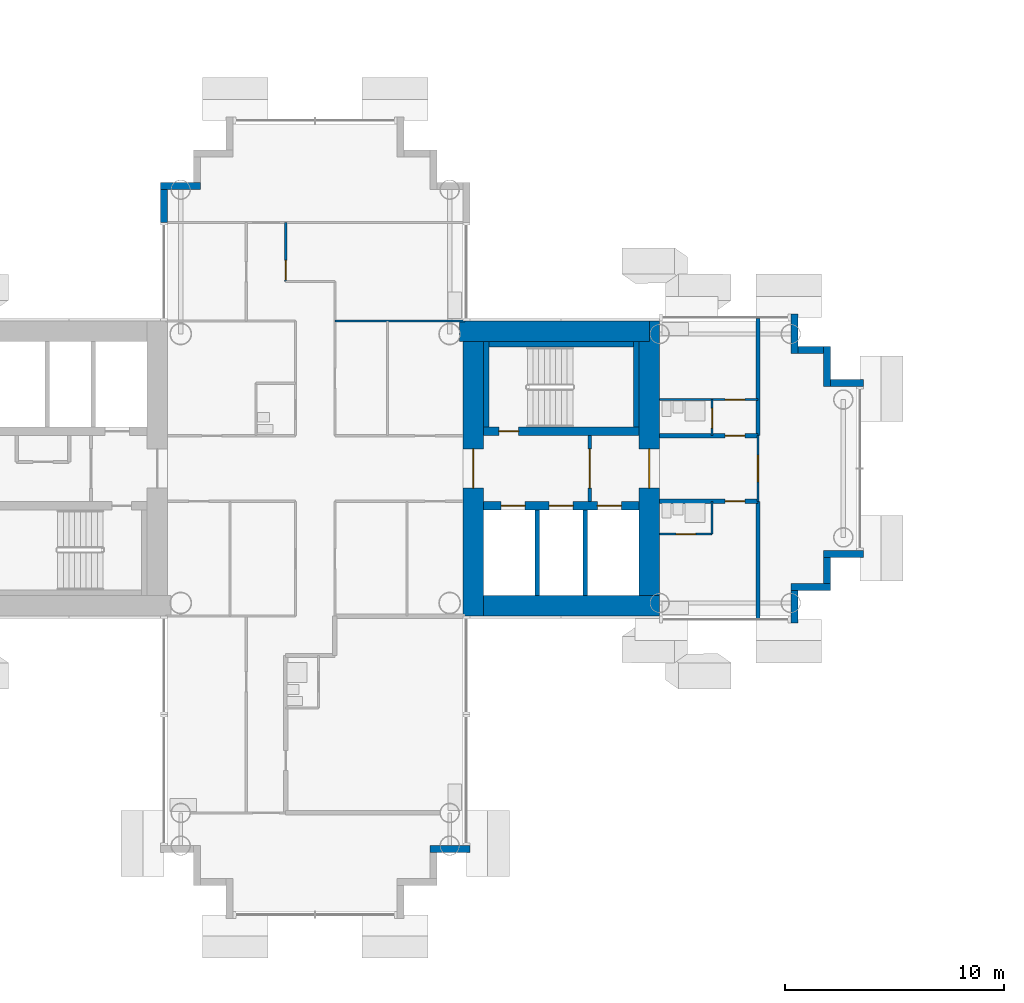
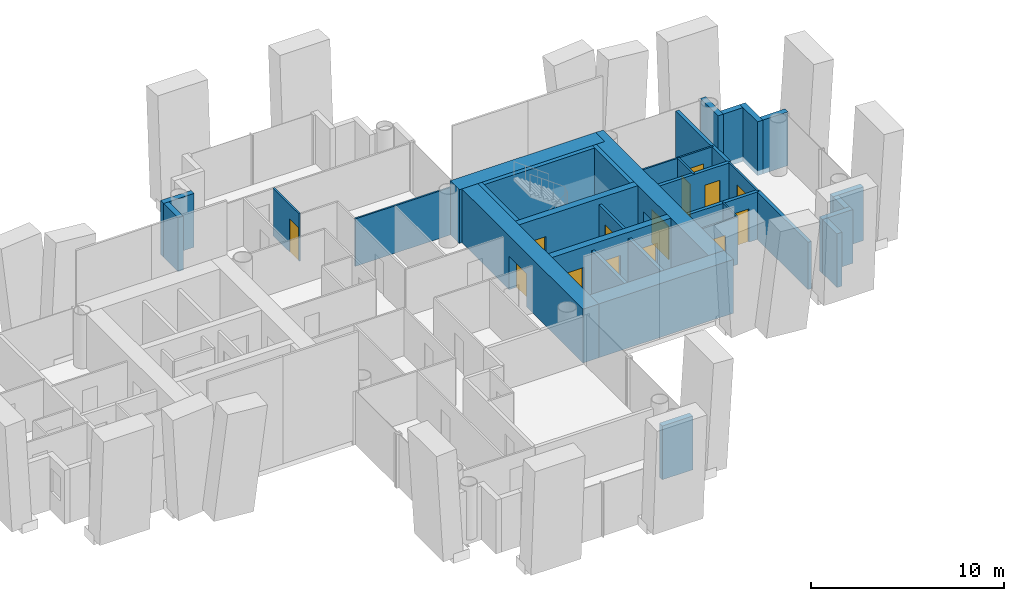
# One storey, part 10 of 21: 34 walls, 14 doors, 14 openings.
"""IFC4 building model written with IfcOpenShell, lengths in metres."""

from ifc_helpers import new_model, si_unit, direction, frame, frame_2d, origin, place, context, subcontext, project, spatial, rectangle, extrude, material, layer, layer_set, type_object, element, fill, save


model = new_model("IFC4")

# Units and contexts
model_context = context("Model", 3, precision=1e-05, world=origin(), true_north=direction((0.0, 1.0)))
body_context = subcontext(model_context, "Body", "Model", "MODEL_VIEW")
ifc_project = project(units=[si_unit("LENGTHUNIT", "METRE"), si_unit("AREAUNIT", "SQUARE_METRE"), si_unit("VOLUMEUNIT", "CUBIC_METRE"), si_unit("PLANEANGLEUNIT", "RADIAN"), si_unit("MASSUNIT", "GRAM", prefix="KILO")], contexts=[model_context])

# Site, building, storey
site_placement = place(None, origin())
site = spatial("IfcSite", under=ifc_project, at=site_placement, CompositionType="ELEMENT")
building_placement = place(site_placement, origin())
building = spatial("IfcBuilding", under=site, at=building_placement, Name="Ipe Terrace Towers", CompositionType="ELEMENT")
storey_placement = place(building_placement, frame((0.0, 0.0, 107.199951171875)))
storey = spatial("IfcBuildingStorey", under=building, at=storey_placement, Name="L29", CompositionType="ELEMENT", Elevation=107.199951171875)

# Walls
ifc_material_1 = material(Name="Concrete C40/50 with buff precast cladding", Category="concrete")
ifc_layer_1 = layer(ifc_material_1, 0.320068359375)
ifc_layer_set_1 = layer_set([ifc_layer_1], Name="BUFF CLADDING WALL 320")
wall_type_1 = type_object("IfcWallType", Name="BUFF CLADDING WALL 320", PredefinedType="STANDARD", material=ifc_layer_set_1)
wall_1_placement = place(storey_placement, frame((-30.75, -17.409912109375, -0.300048828125), z_axis=(0.0, 0.0, 1.0), x_axis=(1.0, 0.0, 0.0)))
element("IfcWall", 1, at=wall_1_placement, inside=storey, type_object=wall_type_1, Name="T1-W-L29-16a wall", PredefinedType="STANDARD", context=body_context, shape_type="SweptSolid", body=[
    extrude(rectangle(XDim=1.820068359375, YDim=0.320068359375, at=frame_2d((0.91015625, 0.0))), origin(), (0.0, 0.0, 1.0), 3.400146484375),
])
wall_2_placement = place(storey_placement, frame((-14.090087890625, -7.070068359375, -0.300048828125), z_axis=(0.0, 0.0, 1.0), x_axis=(0.0, 1.0, 0.0)))
element("IfcWall", 2, at=wall_2_placement, inside=storey, type_object=wall_type_1, Name="T1-W-L29-21a wall", PredefinedType="STANDARD", context=body_context, shape_type="SweptSolid", body=[
    extrude(rectangle(XDim=1.5, YDim=0.320068359375, at=frame_2d((0.75, 0.0))), origin(), (0.0, 0.0, 1.0), 3.400146484375),
])
wall_3_placement = place(storey_placement, frame((-14.25, -5.409912109375, -0.300048828125), z_axis=(0.0, 0.0, 1.0), x_axis=(1.0, 0.0, 0.0)))
element("IfcWall", 3, at=wall_3_placement, inside=storey, type_object=wall_type_1, Name="T1-W-L29-22a wall", PredefinedType="STANDARD", context=body_context, shape_type="SweptSolid", body=[
    extrude(rectangle(XDim=1.820068359375, YDim=0.320068359375, at=frame_2d((0.91015625, 0.0))), origin(), (0.0, 0.0, 1.0), 3.400146484375),
])
wall_4_placement = place(storey_placement, frame((-12.590087890625, -5.25, -0.300048828125), z_axis=(0.0, 0.0, 1.0), x_axis=(0.0, 1.0, 0.0)))
element("IfcWall", 4, at=wall_4_placement, inside=storey, type_object=wall_type_1, Name="T1-W-L29-23a wall", PredefinedType="STANDARD", context=body_context, shape_type="SweptSolid", body=[
    extrude(rectangle(XDim=1.179931640625, YDim=0.320068359375, at=frame_2d((0.58984375, 0.0))), origin(), (0.0, 0.0, 1.0), 3.400146484375),
])
wall_5_placement = place(storey_placement, frame((-12.75, -3.909912109375, -0.300048828125), z_axis=(0.0, 0.0, 1.0), x_axis=(1.0, 0.0, 0.0)))
element("IfcWall", 5, at=wall_5_placement, inside=storey, type_object=wall_type_1, Name="T1-W-L29-24a wall", PredefinedType="STANDARD", context=body_context, shape_type="SweptSolid", body=[
    extrude(rectangle(XDim=1.820068359375, YDim=0.320068359375, at=frame_2d((0.91015625, 0.0))), origin(), (0.0, 0.0, 1.0), 3.400146484375),
])
wall_6_placement = place(storey_placement, frame((-10.929931640625, 3.909912109375, -0.300048828125), z_axis=(0.0, 0.0, 1.0), x_axis=(-1.0, 0.0, 0.0)))
element("IfcWall", 6, at=wall_6_placement, inside=storey, type_object=wall_type_1, Name="T1-W-L29-26a wall", PredefinedType="STANDARD", context=body_context, shape_type="SweptSolid", body=[
    extrude(rectangle(XDim=1.5, YDim=0.320068359375, at=frame_2d((0.75, 0.0))), origin(), (0.0, 0.0, 1.0), 3.400146484375),
])
wall_7_placement = place(storey_placement, frame((-12.590087890625, 3.75, -0.300048828125), z_axis=(0.0, 0.0, 1.0), x_axis=(0.0, 1.0, 0.0)))
element("IfcWall", 7, at=wall_7_placement, inside=storey, type_object=wall_type_1, Name="T1-W-L29-27a wall", PredefinedType="STANDARD", context=body_context, shape_type="SweptSolid", body=[
    extrude(rectangle(XDim=1.820068359375, YDim=0.320068359375, at=frame_2d((0.91015625, 0.0))), origin(), (0.0, 0.0, 1.0), 3.400146484375),
])
wall_8_placement = place(storey_placement, frame((-12.75, 5.409912109375, -0.300048828125), z_axis=(0.0, 0.0, 1.0), x_axis=(-1.0, 0.0, 0.0)))
element("IfcWall", 8, at=wall_8_placement, inside=storey, type_object=wall_type_1, Name="T1-W-L29-28a wall", PredefinedType="STANDARD", context=body_context, shape_type="SweptSolid", body=[
    extrude(rectangle(XDim=1.179931640625, YDim=0.320068359375, at=frame_2d((0.58984375, 0.0))), origin(), (0.0, 0.0, 1.0), 3.400146484375),
])
for number, where, z_axis, x_axis, name in (
    (9, (-14.090087890625, 5.25, -0.300048828125), (0.0, 0.0, 1.0), (0.0, 1.0, 0.0), "T1-W-L29-29a wall"),
    (10, (-41.25, 12.909912109375, -0.300048828125), (0.0, 0.0, 1.0), (-1.0, 0.0, 0.0), "T1-W-L29-42a wall"),
):
    element("IfcWall", number, at=place(storey_placement, frame(where, z_axis=z_axis, x_axis=x_axis)), inside=storey, type_object=wall_type_1, Name=name, PredefinedType="STANDARD", context=body_context, shape_type="SweptSolid", body=[
        extrude(rectangle(XDim=1.820068359375, YDim=0.320068359375, at=frame_2d((0.91015625, 0.0))), origin(), (0.0, 0.0, 1.0), 3.400146484375),
    ])
wall_9_placement = place(storey_placement, frame((-42.909912109375, 12.75, -0.300048828125), z_axis=(0.0, 0.0, 1.0), x_axis=(0.0, -1.0, 0.0)))
element("IfcWall", 11, at=wall_9_placement, inside=storey, type_object=wall_type_1, Name="T1-W-L29-43a wall", PredefinedType="STANDARD", context=body_context, shape_type="SweptSolid", body=[
    extrude(rectangle(XDim=1.5, YDim=0.320068359375, at=frame_2d((0.75, 0.0))), origin(), (0.0, 0.0, 1.0), 3.400146484375),
])

# Wall, opening, door
ifc_material_2 = material(Name="Gypsum board partition", Category="plasterboard")
ifc_layer_2 = layer(ifc_material_2, 0.10009765625)
ifc_layer_set_2 = layer_set([ifc_layer_2], Name="Gypsum board partition 100 mm")
wall_type_2 = type_object("IfcWallType", Name="Gypsum board partition 100 mm", PredefinedType="PARTITIONING", material=ifc_layer_set_2)
wall_10_placement = place(storey_placement, frame((-37.35009765625, 8.550048828125, 0.0), z_axis=(0.0, 0.0, 1.0), x_axis=(0.0, 1.0, 0.0)))
wall_10 = element("IfcWall", 12, at=wall_10_placement, inside=storey, type_object=wall_type_2, Name="Gypsum board partition T1 L29 W08", PredefinedType="PARTITIONING", context=body_context, shape_type="SweptSolid", body=[
    extrude(rectangle(XDim=2.699951171875, YDim=0.10009765625, at=frame_2d((1.35009765625, 0.0))), origin(), (0.0, 0.0, 1.0), 3.0),
])
opening_1_placement = place(wall_10_placement, frame((0.070068359375, 0.0, 0.0)))
opening_1 = element("IfcOpeningElement", 13, at=opening_1_placement, cuts=wall_10, Name="Opening T1-Z2F-10", PredefinedType="OPENING", context=body_context, shape_type="SweptSolid", body=[
    extrude(rectangle(XDim=0.89990234375, YDim=2.10009765625, at=frame_2d((0.449951171875, 1.050048828125))), frame((0.0, 0.06005859375, 0.0), z_axis=(0.0, -1.0, 0.0), x_axis=(1.0, 0.0, 0.0)), (0.0, 0.0, 1.0), 0.1201171875),
])
ifc_material_3 = material(Name="Timber door leaf", Category="wood")
door_type_1 = type_object("IfcDoorType", Name="Lounge door 900 x 2100", OperationType="NOTDEFINED", PredefinedType="DOOR", material=ifc_material_3)
door_1_placement = place(opening_1_placement, origin())
door_1 = element("IfcDoor", 14, at=door_1_placement, inside=storey, type_object=door_type_1, Name="Lounge door T1-Z2F-10", OperationType="SINGLE_SWING_LEFT", OverallHeight=2.10009765625, OverallWidth=0.89990234375, PredefinedType="DOOR", context=body_context, shape_type="SweptSolid", body=[
    extrude(rectangle(XDim=0.89990234375, YDim=2.10009765625, at=frame_2d((0.449951171875, 1.050048828125))), frame((0.0, 0.02490234375, 0.0), z_axis=(0.0, -1.0, 0.0), x_axis=(1.0, 0.0, 0.0)), (0.0, 0.0, 1.0), 0.050048828125),
])
fill(opening_1, door_1)

# Wall
wall_11_placement = place(storey_placement, frame((-17.85009765625, -3.0, 0.0), z_axis=(0.0, 0.0, 1.0), x_axis=(0.0, 1.0, 0.0)))
element("IfcWall", 15, at=wall_11_placement, inside=storey, type_object=wall_type_2, Name="Gypsum board partition T1 L29 W18", PredefinedType="PARTITIONING", context=body_context, shape_type="SweptSolid", body=[
    extrude(rectangle(XDim=1.5, YDim=0.10009765625, at=frame_2d((0.75, 0.0))), origin(), (0.0, 0.0, 1.0), 3.0),
])

# Wall, opening, door
wall_12_placement = place(storey_placement, frame((-17.85009765625, 1.5, 0.0), z_axis=(0.0, 0.0, 1.0), x_axis=(0.0, 1.0, 0.0)))
wall_12 = element("IfcWall", 16, at=wall_12_placement, inside=storey, type_object=wall_type_2, Name="Gypsum board partition T1 L29 W19", PredefinedType="PARTITIONING", context=body_context, shape_type="SweptSolid", body=[
    extrude(rectangle(XDim=1.64990234375, YDim=0.10009765625, at=frame_2d((0.824951171875, 0.0))), origin(), (0.0, 0.0, 1.0), 3.0),
])
opening_2_placement = place(wall_12_placement, frame((0.35009765625, 0.0, 0.0)))
opening_2 = element("IfcOpeningElement", 17, at=opening_2_placement, cuts=wall_12, Name="Opening T1-Z2F-18", PredefinedType="OPENING", context=body_context, shape_type="SweptSolid", body=[
    extrude(rectangle(XDim=0.89990234375, YDim=2.10009765625, at=frame_2d((0.449951171875, 1.050048828125))), frame((0.0, 0.06005859375, 0.0), z_axis=(0.0, -1.0, 0.0), x_axis=(1.0, 0.0, 0.0)), (0.0, 0.0, 1.0), 0.1201171875),
])
ifc_material_4 = material(Name="Timber door leaf", Category="wood")
door_type_2 = type_object("IfcDoorType", Name="Bathroom door 900 x 2100", OperationType="NOTDEFINED", PredefinedType="DOOR", material=ifc_material_4)
door_2_placement = place(opening_2_placement, origin())
door_2 = element("IfcDoor", 18, at=door_2_placement, inside=storey, type_object=door_type_2, Name="Bathroom door T1-Z2F-18", OperationType="SINGLE_SWING_RIGHT", OverallHeight=2.10009765625, OverallWidth=0.89990234375, PredefinedType="DOOR", context=body_context, shape_type="SweptSolid", body=[
    extrude(rectangle(XDim=0.89990234375, YDim=2.10009765625, at=frame_2d((0.449951171875, 1.050048828125))), frame((0.0, 0.02490234375, 0.0), z_axis=(0.0, -1.0, 0.0), x_axis=(1.0, 0.0, 0.0)), (0.0, 0.0, 1.0), 0.050048828125),
])
fill(opening_2, door_2)

wall_13_placement = place(storey_placement, frame((-15.75, -1.5, 0.0), z_axis=(0.0, 0.0, 1.0), x_axis=(0.0, 1.0, 0.0)))
wall_13 = element("IfcWall", 19, at=wall_13_placement, inside=storey, type_object=wall_type_2, Name="Gypsum board partition T1 L29 W20", PredefinedType="PARTITIONING", context=body_context, shape_type="SweptSolid", body=[
    extrude(rectangle(XDim=3.0, YDim=0.10009765625, at=frame_2d((1.5, 0.0))), origin(), (0.0, 0.0, 1.0), 3.0),
])
opening_3_placement = place(wall_13_placement, frame((0.89990234375, 0.0, 0.0)))
opening_3 = element("IfcOpeningElement", 20, at=opening_3_placement, cuts=wall_13, Name="Opening T1-Z2F-21", PredefinedType="OPENING", context=body_context, shape_type="SweptSolid", body=[
    extrude(rectangle(XDim=1.199951171875, YDim=2.10009765625, at=frame_2d((0.60009765625, 1.050048828125))), frame((0.0, 0.06005859375, 0.0), z_axis=(0.0, -1.0, 0.0), x_axis=(1.0, 0.0, 0.0)), (0.0, 0.0, 1.0), 0.1201171875),
])
ifc_material_5 = material(Name="Timber door leaf", Category="wood")
door_type_3 = type_object("IfcDoorType", Name="Lounge door 1200 x 2100", OperationType="NOTDEFINED", PredefinedType="DOOR", material=ifc_material_5)
door_3_placement = place(opening_3_placement, origin())
door_3 = element("IfcDoor", 21, at=door_3_placement, inside=storey, type_object=door_type_3, Name="Lounge door T1-Z2F-21", OperationType="SINGLE_SWING_RIGHT", OverallHeight=2.10009765625, OverallWidth=1.199951171875, PredefinedType="DOOR", context=body_context, shape_type="SweptSolid", body=[
    extrude(rectangle(XDim=1.199951171875, YDim=2.10009765625, at=frame_2d((0.60009765625, 1.050048828125))), frame((0.0, 0.02490234375, 0.0), z_axis=(0.0, -1.0, 0.0), x_axis=(1.0, 0.0, 0.0)), (0.0, 0.0, 1.0), 0.050048828125),
])
fill(opening_3, door_3)

wall_14_placement = place(storey_placement, frame((-20.25, -3.0, 0.0), z_axis=(0.0, 0.0, 1.0), x_axis=(1.0, 0.0, 0.0)))
wall_14 = element("IfcWall", 22, at=wall_14_placement, inside=storey, type_object=wall_type_2, Name="Gypsum board partition T1 L29 W30", PredefinedType="PARTITIONING", context=body_context, shape_type="SweptSolid", body=[
    extrude(rectangle(XDim=2.39990234375, YDim=0.10009765625, at=frame_2d((1.199951171875, 0.0))), origin(), (0.0, 0.0, 1.0), 3.0),
])
opening_4_placement = place(wall_14_placement, frame((0.75, 0.0, 0.0)))
opening_4 = element("IfcOpeningElement", 23, at=opening_4_placement, cuts=wall_14, Name="Opening T1-Z2F-20", PredefinedType="OPENING", context=body_context, shape_type="SweptSolid", body=[
    extrude(rectangle(XDim=0.89990234375, YDim=2.10009765625, at=frame_2d((0.449951171875, 1.050048828125))), frame((0.0, 0.06005859375, 0.0), z_axis=(0.0, -1.0, 0.0), x_axis=(1.0, 0.0, 0.0)), (0.0, 0.0, 1.0), 0.1201171875),
])
door_4_placement = place(opening_4_placement, origin())
door_4 = element("IfcDoor", 24, at=door_4_placement, inside=storey, type_object=door_type_2, Name="Bathroom door T1-Z2F-20", OperationType="SINGLE_SWING_LEFT", OverallHeight=2.10009765625, OverallWidth=0.89990234375, PredefinedType="DOOR", context=body_context, shape_type="SweptSolid", body=[
    extrude(rectangle(XDim=0.89990234375, YDim=2.10009765625, at=frame_2d((0.449951171875, 1.050048828125))), frame((0.0, 0.02490234375, 0.0), z_axis=(0.0, -1.0, 0.0), x_axis=(1.0, 0.0, 0.0)), (0.0, 0.0, 1.0), 0.050048828125),
])
fill(opening_4, door_4)

wall_15_placement = place(storey_placement, frame((-20.25, 3.14990234375, 0.0), z_axis=(0.0, 0.0, 1.0), x_axis=(1.0, 0.0, 0.0)))
wall_15 = element("IfcWall", 25, at=wall_15_placement, inside=storey, type_object=wall_type_2, Name="Gypsum board partition T1 L29 W42", PredefinedType="PARTITIONING", context=body_context, shape_type="SweptSolid", body=[
    extrude(rectangle(XDim=4.5, YDim=0.10009765625, at=frame_2d((2.25, 0.0))), origin(), (0.0, 0.0, 1.0), 3.0),
])
opening_5_placement = place(wall_15_placement, frame((3.0, 0.0, 0.0)))
opening_5 = element("IfcOpeningElement", 26, at=opening_5_placement, cuts=wall_15, Name="Opening T1-Z2F-17", PredefinedType="OPENING", context=body_context, shape_type="SweptSolid", body=[
    extrude(rectangle(XDim=0.89990234375, YDim=2.10009765625, at=frame_2d((0.449951171875, 1.050048828125))), frame((0.0, 0.06005859375, 0.0), z_axis=(0.0, -1.0, 0.0), x_axis=(1.0, 0.0, 0.0)), (0.0, 0.0, 1.0), 0.1201171875),
])
ifc_material_6 = material(Name="Timber door leaf", Category="wood")
door_type_4 = type_object("IfcDoorType", Name="Bedroom door 900 x 2100", OperationType="NOTDEFINED", PredefinedType="DOOR", material=ifc_material_6)
door_5_placement = place(opening_5_placement, origin())
door_5 = element("IfcDoor", 27, at=door_5_placement, inside=storey, type_object=door_type_4, Name="Bedroom door T1-Z2F-17", OperationType="SINGLE_SWING_LEFT", OverallHeight=2.10009765625, OverallWidth=0.89990234375, PredefinedType="DOOR", context=body_context, shape_type="SweptSolid", body=[
    extrude(rectangle(XDim=0.89990234375, YDim=2.10009765625, at=frame_2d((0.449951171875, 1.050048828125))), frame((0.0, 0.02490234375, 0.0), z_axis=(0.0, -1.0, 0.0), x_axis=(1.0, 0.0, 0.0)), (0.0, 0.0, 1.0), 0.050048828125),
])
fill(opening_5, door_5)

# Wall
wall_16_placement = place(storey_placement, frame((-35.10009765625, 6.75, 0.0), z_axis=(0.0, 0.0, 1.0), x_axis=(1.0, 0.0, 0.0)))
element("IfcWall", 28, at=wall_16_placement, inside=storey, type_object=wall_type_2, Name="Gypsum board partition T1 L29 W45", PredefinedType="PARTITIONING", context=body_context, shape_type="SweptSolid", body=[
    extrude(rectangle(XDim=5.9501953125, YDim=0.10009765625, at=frame_2d((2.97509765625, 0.0))), origin(), (0.0, 0.0, 1.0), 3.0),
])

# Wall, opening, door
ifc_material_7 = material(Name="Gypsum board partition", Category="plasterboard")
ifc_layer_3 = layer(ifc_material_7, 0.14990234375)
ifc_layer_set_3 = layer_set([ifc_layer_3], Name="Gypsum board partition 150 mm")
wall_type_3 = type_object("IfcWallType", Name="Gypsum board partition 150 mm", PredefinedType="PARTITIONING", material=ifc_layer_set_3)
wall_17_placement = place(storey_placement, frame((-23.449951171875, -1.5, 0.0), z_axis=(0.0, 0.0, 1.0), x_axis=(0.0, 1.0, 0.0)))
wall_17 = element("IfcWall", 29, at=wall_17_placement, inside=storey, type_object=wall_type_3, Name="Gypsum board partition T1 L29 t1c1-lobby-wall", PredefinedType="PARTITIONING", context=body_context, shape_type="SweptSolid", body=[
    extrude(rectangle(XDim=3.0, YDim=0.14990234375, at=frame_2d((1.5, 0.0))), origin(), (0.0, 0.0, 1.0), 3.0),
])
opening_6_placement = place(wall_17_placement, frame((0.60009765625, 0.0, 0.0)))
opening_6 = element("IfcOpeningElement", 30, at=opening_6_placement, cuts=wall_17, Name="Opening T1C1-VD", PredefinedType="OPENING", context=body_context, shape_type="SweptSolid", body=[
    extrude(rectangle(XDim=1.800048828125, YDim=2.10009765625, at=frame_2d((0.89990234375, 1.050048828125))), frame((0.0, 0.0849609375, 0.0), z_axis=(0.0, -1.0, 0.0), x_axis=(1.0, 0.0, 0.0)), (0.0, 0.0, 1.0), 0.169921875),
])
ifc_material_8 = material(Name="Fire-rated timber door leaf", Category="wood")
door_type_5 = type_object("IfcDoorType", Name="Lobby door 1800 x 2100 FD60", OperationType="NOTDEFINED", PredefinedType="DOOR", material=ifc_material_8)
door_6_placement = place(opening_6_placement, origin())
door_6 = element("IfcDoor", 31, at=door_6_placement, inside=storey, type_object=door_type_5, Name="Lobby door T1C1-VD", OperationType="SINGLE_SWING_LEFT", OverallHeight=2.10009765625, OverallWidth=1.800048828125, PredefinedType="DOOR", context=body_context, shape_type="SweptSolid", body=[
    extrude(rectangle(XDim=1.800048828125, YDim=2.10009765625, at=frame_2d((0.89990234375, 1.050048828125))), frame((0.0, 0.02490234375, 0.0), z_axis=(0.0, -1.0, 0.0), x_axis=(1.0, 0.0, 0.0)), (0.0, 0.0, 1.0), 0.050048828125),
])
fill(opening_6, door_6)

# Walls
ifc_material_9 = material(Name="Gypsum board party wall", Category="plasterboard")
ifc_layer_4 = layer(ifc_material_9, 0.199951171875)
ifc_layer_set_4 = layer_set([ifc_layer_4], Name="Gypsum board party wall 200 mm")
wall_type_4 = type_object("IfcWallType", Name="Gypsum board party wall 200 mm", PredefinedType="SOLIDWALL", material=ifc_layer_set_4)
for number, where, z_axis, x_axis, name in (
    (32, (-25.85009765625, -5.800048828125, 0.0), (0.0, 0.0, 1.0), (0.0, 1.0, 0.0), "Gypsum board party wall T1 L29 t1c1-shaft-div1"),
    (33, (-23.64990234375, -5.800048828125, 0.0), (0.0, 0.0, 1.0), (0.0, 1.0, 0.0), "Gypsum board party wall T1 L29 t1c1-shaft-div2"),
):
    element("IfcWall", number, at=place(storey_placement, frame(where, z_axis=z_axis, x_axis=x_axis)), inside=storey, type_object=wall_type_4, Name=name, PredefinedType="SOLIDWALL", context=body_context, shape_type="SweptSolid", body=[
        extrude(rectangle(XDim=3.900146484375, YDim=0.199951171875, at=frame_2d((1.9501953125, 0.0))), origin(), (0.0, 0.0, 1.0), 3.0),
    ])
for number, where, z_axis, x_axis, name in (
    (34, (-15.75, -6.85009765625, 0.0), (0.0, 0.0, 1.0), (0.0, 1.0, 0.0), "Gypsum board party wall T1 L29 W21"),
    (35, (-15.75, 1.5, 0.0), (0.0, 0.0, 1.0), (0.0, 1.0, 0.0), "Gypsum board party wall T1 L29 W22"),
):
    element("IfcWall", number, at=place(storey_placement, frame(where, z_axis=z_axis, x_axis=x_axis)), inside=storey, type_object=wall_type_4, Name=name, PredefinedType="SOLIDWALL", context=body_context, shape_type="SweptSolid", body=[
        extrude(rectangle(XDim=5.35009765625, YDim=0.199951171875, at=frame_2d((2.675048828125, 0.0))), origin(), (0.0, 0.0, 1.0), 3.0),
    ])

# Wall, opening, door
wall_18_placement = place(storey_placement, frame((-20.25, -1.5, 0.0), z_axis=(0.0, 0.0, 1.0), x_axis=(1.0, 0.0, 0.0)))
wall_18 = element("IfcWall", 36, at=wall_18_placement, inside=storey, type_object=wall_type_4, Name="Gypsum board party wall T1 L29 W35", PredefinedType="SOLIDWALL", context=body_context, shape_type="SweptSolid", body=[
    extrude(rectangle(XDim=4.5, YDim=0.199951171875, at=frame_2d((2.25, 0.0))), origin(), (0.0, 0.0, 1.0), 3.0),
])
opening_7_placement = place(wall_18_placement, frame((3.0, 0.0, 0.0)))
opening_7 = element("IfcOpeningElement", 37, at=opening_7_placement, cuts=wall_18, Name="Opening T1-Z2F-19", PredefinedType="OPENING", context=body_context, shape_type="SweptSolid", body=[
    extrude(rectangle(XDim=0.89990234375, YDim=2.10009765625, at=frame_2d((0.449951171875, 1.050048828125))), frame((0.0, 0.10986328125, 0.0), z_axis=(0.0, -1.0, 0.0), x_axis=(1.0, 0.0, 0.0)), (0.0, 0.0, 1.0), 0.219970703125),
])
ifc_material_10 = material(Name="Fire-rated timber door leaf", Category="wood")
door_type_6 = type_object("IfcDoorType", Name="Flat entrance door 900 x 2100 FD30S", OperationType="NOTDEFINED", PredefinedType="DOOR", material=ifc_material_10)
door_7_placement = place(opening_7_placement, origin())
door_7 = element("IfcDoor", 38, at=door_7_placement, inside=storey, type_object=door_type_6, Name="Flat entrance door T1-Z2F-19", OperationType="SINGLE_SWING_RIGHT", OverallHeight=2.10009765625, OverallWidth=0.89990234375, PredefinedType="DOOR", context=body_context, shape_type="SweptSolid", body=[
    extrude(rectangle(XDim=0.89990234375, YDim=2.10009765625, at=frame_2d((0.449951171875, 1.050048828125))), frame((0.0, 0.02490234375, 0.0), z_axis=(0.0, -1.0, 0.0), x_axis=(1.0, 0.0, 0.0)), (0.0, 0.0, 1.0), 0.050048828125),
])
fill(opening_7, door_7)

wall_19_placement = place(storey_placement, frame((-20.25, 1.5, 0.0), z_axis=(0.0, 0.0, 1.0), x_axis=(1.0, 0.0, 0.0)))
wall_19 = element("IfcWall", 39, at=wall_19_placement, inside=storey, type_object=wall_type_4, Name="Gypsum board party wall T1 L29 W40", PredefinedType="SOLIDWALL", context=body_context, shape_type="SweptSolid", body=[
    extrude(rectangle(XDim=4.5, YDim=0.199951171875, at=frame_2d((2.25, 0.0))), origin(), (0.0, 0.0, 1.0), 3.0),
])
opening_8_placement = place(wall_19_placement, frame((3.0, 0.0, 0.0)))
opening_8 = element("IfcOpeningElement", 40, at=opening_8_placement, cuts=wall_19, Name="Opening T1-Z2F-16", PredefinedType="OPENING", context=body_context, shape_type="SweptSolid", body=[
    extrude(rectangle(XDim=0.89990234375, YDim=2.10009765625, at=frame_2d((0.449951171875, 1.050048828125))), frame((0.0, 0.10986328125, 0.0), z_axis=(0.0, -1.0, 0.0), x_axis=(1.0, 0.0, 0.0)), (0.0, 0.0, 1.0), 0.219970703125),
])
door_8_placement = place(opening_8_placement, origin())
door_8 = element("IfcDoor", 41, at=door_8_placement, inside=storey, type_object=door_type_6, Name="Flat entrance door T1-Z2F-16", OperationType="SINGLE_SWING_LEFT", OverallHeight=2.10009765625, OverallWidth=0.89990234375, PredefinedType="DOOR", context=body_context, shape_type="SweptSolid", body=[
    extrude(rectangle(XDim=0.89990234375, YDim=2.10009765625, at=frame_2d((0.449951171875, 1.050048828125))), frame((0.0, 0.02490234375, 0.0), z_axis=(0.0, -1.0, 0.0), x_axis=(1.0, 0.0, 0.0)), (0.0, 0.0, 1.0), 0.050048828125),
])
fill(opening_8, door_8)

# Walls
ifc_material_11 = material(Name="Concrete C50/60", Category="concrete")
ifc_layer_5 = layer(ifc_material_11, 0.25)
ifc_layer_set_5 = layer_set([ifc_layer_5], Name="RW250 CORE INFILL WALL 250 C50-60")
wall_type_5 = type_object("IfcWallType", Name="RW250 CORE INFILL WALL 250 C50-60", PredefinedType="SHEAR", material=ifc_layer_set_5)
wall_20_placement = place(storey_placement, frame((-21.324951171875, 1.89990234375, 0.0), z_axis=(0.0, 0.0, 1.0), x_axis=(0.0, 1.0, 0.0)))
element("IfcWall", 42, at=wall_20_placement, inside=storey, type_object=wall_type_5, Name="Core infill wall T1-C1-far", PredefinedType="SHEAR", context=body_context, shape_type="SweptSolid", body=[
    extrude(rectangle(XDim=3.900146484375, YDim=0.25, at=frame_2d((1.9501953125, 0.0))), origin(), (0.0, 0.0, 1.0), 3.400146484375),
])
wall_21_placement = place(storey_placement, frame((-28.050048828125, 5.675048828125, 0.0), z_axis=(0.0, 0.0, 1.0), x_axis=(1.0, 0.0, 0.0)))
element("IfcWall", 43, at=wall_21_placement, inside=storey, type_object=wall_type_5, Name="Core infill wall T1-C1-back", PredefinedType="SHEAR", context=body_context, shape_type="SweptSolid", body=[
    extrude(rectangle(XDim=6.60009765625, YDim=0.25, at=frame_2d((3.300048828125, 0.0))), origin(), (0.0, 0.0, 1.0), 3.400146484375),
])
wall_22_placement = place(storey_placement, frame((-28.175048828125, 1.89990234375, 0.0), z_axis=(0.0, 0.0, 1.0), x_axis=(0.0, 1.0, 0.0)))
element("IfcWall", 44, at=wall_22_placement, inside=storey, type_object=wall_type_5, Name="Core infill wall T1-C1-near", PredefinedType="SHEAR", context=body_context, shape_type="SweptSolid", body=[
    extrude(rectangle(XDim=3.900146484375, YDim=0.25, at=frame_2d((1.9501953125, 0.0))), origin(), (0.0, 0.0, 1.0), 3.400146484375),
])

# Wall, openings, doors
ifc_material_12 = material(Name="Concrete C50/60", Category="concrete")
ifc_layer_6 = layer(ifc_material_12, 0.39990234375)
ifc_layer_set_6 = layer_set([ifc_layer_6], Name="RW400 CORE SPINE WALL 400 C50-60")
wall_type_6 = type_object("IfcWallType", Name="RW400 CORE SPINE WALL 400 C50-60", PredefinedType="SHEAR", material=ifc_layer_set_6)
wall_23_placement = place(storey_placement, frame((-28.300048828125, -1.699951171875, 0.0), z_axis=(0.0, 0.0, 1.0), x_axis=(1.0, 0.0, 0.0)))
wall_23 = element("IfcWall", 45, at=wall_23_placement, inside=storey, type_object=wall_type_6, Name="Core spine wall T1-C1-Z2-SW1", PredefinedType="SHEAR", context=body_context, shape_type="SweptSolid", body=[
    extrude(rectangle(XDim=7.10009765625, YDim=0.39990234375, at=frame_2d((3.550048828125, 0.0))), origin(), (0.0, 0.0, 1.0), 3.400146484375),
])
opening_9_placement = place(wall_23_placement, frame((0.800048828125, 0.0, 0.0)))
opening_9 = element("IfcOpeningElement", 46, at=opening_9_placement, cuts=wall_23, Name="Opening T1C1-LD1", PredefinedType="OPENING", context=body_context, shape_type="SweptSolid", body=[
    extrude(rectangle(XDim=1.10009765625, YDim=2.10009765625, at=frame_2d((0.550048828125, 1.050048828125))), frame((0.0, 0.2099609375, 0.0), z_axis=(0.0, -1.0, 0.0), x_axis=(1.0, 0.0, 0.0)), (0.0, 0.0, 1.0), 0.419921875),
])
opening_10_placement = place(wall_23_placement, frame((3.0, 0.0, 0.0)))
opening_10 = element("IfcOpeningElement", 47, at=opening_10_placement, cuts=wall_23, Name="Opening T1C1-LD2", PredefinedType="OPENING", context=body_context, shape_type="SweptSolid", body=[
    extrude(rectangle(XDim=1.10009765625, YDim=2.10009765625, at=frame_2d((0.550048828125, 1.050048828125))), frame((0.0, 0.2099609375, 0.0), z_axis=(0.0, -1.0, 0.0), x_axis=(1.0, 0.0, 0.0)), (0.0, 0.0, 1.0), 0.419921875),
])
opening_11_placement = place(wall_23_placement, frame((5.199951171875, 0.0, 0.0)))
opening_11 = element("IfcOpeningElement", 48, at=opening_11_placement, cuts=wall_23, Name="Opening T1C1-LD3", PredefinedType="OPENING", context=body_context, shape_type="SweptSolid", body=[
    extrude(rectangle(XDim=1.10009765625, YDim=2.10009765625, at=frame_2d((0.550048828125, 1.050048828125))), frame((0.0, 0.2099609375, 0.0), z_axis=(0.0, -1.0, 0.0), x_axis=(1.0, 0.0, 0.0)), (0.0, 0.0, 1.0), 0.419921875),
])
ifc_material_13 = material(Name="Fire-rated timber door leaf", Category="wood")
door_type_7 = type_object("IfcDoorType", Name="Sliding door 1100 x 2100 FD60", OperationType="SLIDING_TO_LEFT", PredefinedType="DOOR", material=ifc_material_13)
door_9_placement = place(opening_9_placement, origin())
door_9 = element("IfcDoor", 49, at=door_9_placement, inside=storey, type_object=door_type_7, Name="Sliding door T1C1-LD1", OperationType="SLIDING_TO_LEFT", OverallHeight=2.10009765625, OverallWidth=1.10009765625, PredefinedType="DOOR", context=body_context, shape_type="SweptSolid", body=[
    extrude(rectangle(XDim=1.10009765625, YDim=2.10009765625, at=frame_2d((0.550048828125, 1.050048828125))), frame((0.0, 0.02490234375, 0.0), z_axis=(0.0, -1.0, 0.0), x_axis=(1.0, 0.0, 0.0)), (0.0, 0.0, 1.0), 0.050048828125),
])
fill(opening_9, door_9)
door_10_placement = place(opening_10_placement, origin())
door_10 = element("IfcDoor", 50, at=door_10_placement, inside=storey, type_object=door_type_7, Name="Sliding door T1C1-LD2", OperationType="SLIDING_TO_LEFT", OverallHeight=2.10009765625, OverallWidth=1.10009765625, PredefinedType="DOOR", context=body_context, shape_type="SweptSolid", body=[
    extrude(rectangle(XDim=1.10009765625, YDim=2.10009765625, at=frame_2d((0.550048828125, 1.050048828125))), frame((0.0, 0.02490234375, 0.0), z_axis=(0.0, -1.0, 0.0), x_axis=(1.0, 0.0, 0.0)), (0.0, 0.0, 1.0), 0.050048828125),
])
fill(opening_10, door_10)
door_11_placement = place(opening_11_placement, origin())
door_11 = element("IfcDoor", 51, at=door_11_placement, inside=storey, type_object=door_type_7, Name="Sliding door T1C1-LD3", OperationType="SLIDING_TO_LEFT", OverallHeight=2.10009765625, OverallWidth=1.10009765625, PredefinedType="DOOR", context=body_context, shape_type="SweptSolid", body=[
    extrude(rectangle(XDim=1.10009765625, YDim=2.10009765625, at=frame_2d((0.550048828125, 1.050048828125))), frame((0.0, 0.02490234375, 0.0), z_axis=(0.0, -1.0, 0.0), x_axis=(1.0, 0.0, 0.0)), (0.0, 0.0, 1.0), 0.050048828125),
])
fill(opening_11, door_11)

# Wall, opening, door
wall_24_placement = place(storey_placement, frame((-28.300048828125, 1.699951171875, 0.0), z_axis=(0.0, 0.0, 1.0), x_axis=(1.0, 0.0, 0.0)))
wall_24 = element("IfcWall", 52, at=wall_24_placement, inside=storey, type_object=wall_type_6, Name="Core spine wall T1-C1-Z2-SW2", PredefinedType="SHEAR", context=body_context, shape_type="SweptSolid", body=[
    extrude(rectangle(XDim=7.10009765625, YDim=0.39990234375, at=frame_2d((3.550048828125, 0.0))), origin(), (0.0, 0.0, 1.0), 3.400146484375),
])
opening_12_placement = place(wall_24_placement, frame((0.699951171875, 0.0, 0.0)))
opening_12 = element("IfcOpeningElement", 53, at=opening_12_placement, cuts=wall_24, Name="Opening T1C1-SD", PredefinedType="OPENING", context=body_context, shape_type="SweptSolid", body=[
    extrude(rectangle(XDim=0.89990234375, YDim=2.10009765625, at=frame_2d((0.449951171875, 1.050048828125))), frame((0.0, 0.2099609375, 0.0), z_axis=(0.0, -1.0, 0.0), x_axis=(1.0, 0.0, 0.0)), (0.0, 0.0, 1.0), 0.419921875),
])
ifc_material_14 = material(Name="Fire-rated timber door leaf", Category="wood")
door_type_8 = type_object("IfcDoorType", Name="Stair door 900 x 2100 FD60", OperationType="NOTDEFINED", PredefinedType="DOOR", material=ifc_material_14)
door_12_placement = place(opening_12_placement, origin())
door_12 = element("IfcDoor", 54, at=door_12_placement, inside=storey, type_object=door_type_8, Name="Stair door T1C1-SD", OperationType="SINGLE_SWING_LEFT", OverallHeight=2.10009765625, OverallWidth=0.89990234375, PredefinedType="DOOR", context=body_context, shape_type="SweptSolid", body=[
    extrude(rectangle(XDim=0.89990234375, YDim=2.10009765625, at=frame_2d((0.449951171875, 1.050048828125))), frame((0.0, 0.02490234375, 0.0), z_axis=(0.0, -1.0, 0.0), x_axis=(1.0, 0.0, 0.0)), (0.0, 0.0, 1.0), 0.050048828125),
])
fill(opening_12, door_12)

# Wall
ifc_material_15 = material(Name="Concrete C50/60", Category="concrete")
ifc_layer_7 = layer(ifc_material_15, 0.949951171875)
ifc_layer_set_7 = layer_set([ifc_layer_7], Name="RW950 CORE WALL 950 C50-60")
wall_type_7 = type_object("IfcWallType", Name="RW950 CORE WALL 950 C50-60", PredefinedType="SHEAR", material=ifc_layer_set_7)
wall_25_placement = place(storey_placement, frame((-28.300048828125, -6.27490234375, 0.0), z_axis=(0.0, 0.0, 1.0), x_axis=(1.0, 0.0, 0.0)))
element("IfcWall", 55, at=wall_25_placement, inside=storey, type_object=wall_type_7, Name="Core wall T1-C1-Z2-W01", PredefinedType="SHEAR", context=body_context, shape_type="SweptSolid", body=[
    extrude(rectangle(XDim=8.050048828125, YDim=0.949951171875, at=frame_2d((4.02490234375, 0.0))), origin(), (0.0, 0.0, 1.0), 3.400146484375),
])

# Wall, opening, door
wall_26_placement = place(storey_placement, frame((-20.72509765625, -5.800048828125, 0.0), z_axis=(0.0, 0.0, 1.0), x_axis=(0.0, 1.0, 0.0)))
wall_26 = element("IfcWall", 56, at=wall_26_placement, inside=storey, type_object=wall_type_7, Name="Core wall T1-C1-Z2-W02", PredefinedType="SHEAR", context=body_context, shape_type="SweptSolid", body=[
    extrude(rectangle(XDim=12.550048828125, YDim=0.949951171875, at=frame_2d((6.27490234375, 0.0))), origin(), (0.0, 0.0, 1.0), 3.400146484375),
])
opening_13_placement = place(wall_26_placement, frame((4.89990234375, 0.0, 0.0)))
opening_13 = element("IfcOpeningElement", 57, at=opening_13_placement, cuts=wall_26, Name="Opening T1C1-FD", PredefinedType="OPENING", context=body_context, shape_type="SweptSolid", body=[
    extrude(rectangle(XDim=1.800048828125, YDim=2.10009765625, at=frame_2d((0.89990234375, 1.050048828125))), frame((0.0, 0.48486328125, 0.0), z_axis=(0.0, -1.0, 0.0), x_axis=(1.0, 0.0, 0.0)), (0.0, 0.0, 1.0), 0.969970703125),
])
ifc_material_16 = material(Name="Fire-rated timber door leaf", Category="wood")
door_type_9 = type_object("IfcDoorType", Name="Fire door 1800 x 2100 FD30S", OperationType="NOTDEFINED", PredefinedType="DOOR", material=ifc_material_16)
door_13_placement = place(opening_13_placement, origin())
door_13 = element("IfcDoor", 58, at=door_13_placement, inside=storey, type_object=door_type_9, Name="Fire door T1C1-FD", OperationType="SINGLE_SWING_LEFT", OverallHeight=2.10009765625, OverallWidth=1.800048828125, PredefinedType="DOOR", context=body_context, shape_type="SweptSolid", body=[
    extrude(rectangle(XDim=1.800048828125, YDim=2.10009765625, at=frame_2d((0.89990234375, 1.050048828125))), frame((0.0, 0.02490234375, 0.0), z_axis=(0.0, -1.0, 0.0), x_axis=(1.0, 0.0, 0.0)), (0.0, 0.0, 1.0), 0.050048828125),
])
fill(opening_13, door_13)

# Wall
wall_27_placement = place(storey_placement, frame((-20.701904296875, 6.27490234375, 0.0), z_axis=(0.0, 0.0, 1.0), x_axis=(-1.0, 0.0, 0.0)))
element("IfcWall", 59, at=wall_27_placement, inside=storey, type_object=wall_type_7, Name="Core wall T1-C1-Z2-W03", PredefinedType="SHEAR", context=body_context, shape_type="SweptSolid", body=[
    extrude(rectangle(XDim=8.696044921875, YDim=0.949951171875, at=frame_2d((4.34814453125, 0.0))), origin(), (0.0, 0.0, 1.0), 3.400146484375),
])

# Wall, opening, door
wall_28_placement = place(storey_placement, frame((-28.77490234375, 5.800048828125, 0.0), z_axis=(0.0, 0.0, 1.0), x_axis=(0.0, -1.0, 0.0)))
wall_28 = element("IfcWall", 60, at=wall_28_placement, inside=storey, type_object=wall_type_7, Name="Core wall T1-C1-Z2-W04", PredefinedType="SHEAR", context=body_context, shape_type="SweptSolid", body=[
    extrude(rectangle(XDim=12.550048828125, YDim=0.949951171875, at=frame_2d((6.27490234375, 0.0))), origin(), (0.0, 0.0, 1.0), 3.400146484375),
])
opening_14_placement = place(wall_28_placement, frame((4.89990234375, 0.0, 0.0)))
opening_14 = element("IfcOpeningElement", 61, at=opening_14_placement, cuts=wall_28, Name="Opening T1C1-ND", PredefinedType="OPENING", context=body_context, shape_type="SweptSolid", body=[
    extrude(rectangle(XDim=1.800048828125, YDim=2.10009765625, at=frame_2d((0.89990234375, 1.050048828125))), frame((0.0, 0.48486328125, 0.0), z_axis=(0.0, -1.0, 0.0), x_axis=(1.0, 0.0, 0.0)), (0.0, 0.0, 1.0), 0.969970703125),
])
door_14_placement = place(opening_14_placement, origin())
door_14 = element("IfcDoor", 62, at=door_14_placement, inside=storey, type_object=door_type_9, Name="Fire door T1C1-ND", OperationType="SINGLE_SWING_LEFT", OverallHeight=2.10009765625, OverallWidth=1.800048828125, PredefinedType="DOOR", context=body_context, shape_type="SweptSolid", body=[
    extrude(rectangle(XDim=1.800048828125, YDim=2.10009765625, at=frame_2d((0.89990234375, 1.050048828125))), frame((0.0, 0.02490234375, 0.0), z_axis=(0.0, -1.0, 0.0), x_axis=(1.0, 0.0, 0.0)), (0.0, 0.0, 1.0), 0.050048828125),
])
fill(opening_14, door_14)

save(model, "model.ifc")
